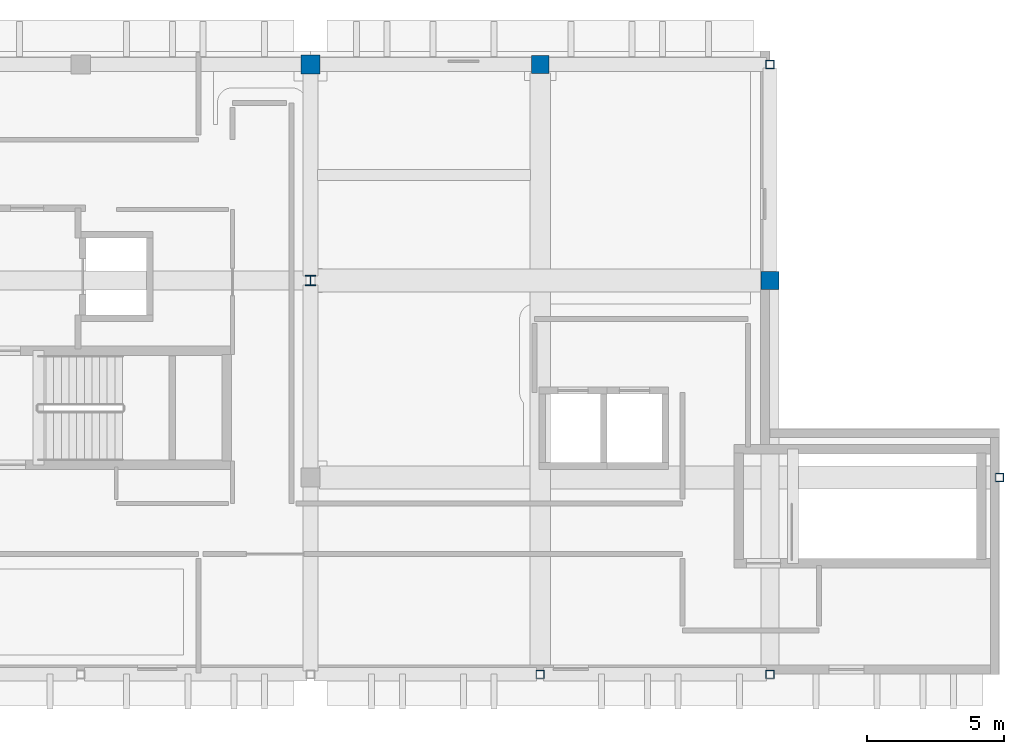
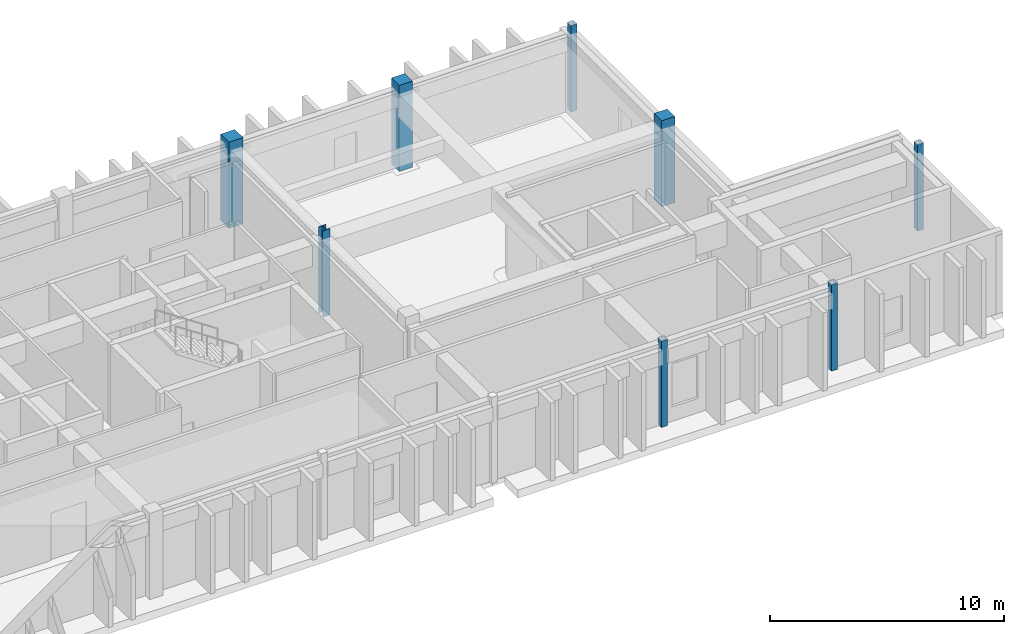
# One storey, part 2 of 8: 8 columns.
"""IFC4 building model written with IfcOpenShell, lengths in metres."""

from ifc_helpers import new_model, si_unit, direction, frame, origin, origin_2d, place, context, subcontext, project, spatial, rectangle, hollow_rectangle, i_section, extrude, material, material_profile, profile_set, type_object, element, save


model = new_model("IFC4")

# Units and contexts
model_context = context("Model", 3, precision=1e-05, world=origin(), true_north=direction((0.0, 1.0)))
body_context = subcontext(model_context, "Body", "Model", "MODEL_VIEW")
ifc_project = project(units=[si_unit("LENGTHUNIT", "METRE"), si_unit("AREAUNIT", "SQUARE_METRE"), si_unit("VOLUMEUNIT", "CUBIC_METRE"), si_unit("PLANEANGLEUNIT", "RADIAN"), si_unit("MASSUNIT", "GRAM", prefix="KILO")], contexts=[model_context])

# Site, building, storey
site_placement = place(None, origin())
site = spatial("IfcSite", under=ifc_project, at=site_placement, CompositionType="ELEMENT")
building_placement = place(site_placement, origin())
building = spatial("IfcBuilding", under=site, at=building_placement, Name="Quendrovan Civic Courthouse", CompositionType="ELEMENT")
storey_placement = place(building_placement, frame((0.0, 0.0, 35.699951171875)))
storey = spatial("IfcBuildingStorey", under=building, at=storey_placement, Name="L08", CompositionType="ELEMENT", Elevation=35.699951171875)

# Columns
ifc_material_1 = material(Name="Concrete C45/55", Category="concrete")
ifc_material_profile_1 = material_profile(ifc_material_1, rectangle(XDim=0.64990234375, YDim=0.64990234375, at=origin_2d()), Name="RC-COL-650x650")
ifc_profile_set_1 = profile_set([ifc_material_profile_1], Name="Concrete C45/55")
column_type_1 = type_object("IfcColumnType", Name="COL-RC650", PredefinedType="COLUMN", material=ifc_profile_set_1)
for number, where, z_axis, x_axis, name in (
    (1, (75.60009765625, 109.89990234375, 0.0), (0.0, 0.0, 1.0), (1.0, 0.0, 0.0), "L08 Column 10-Q"),
    (2, (84.0, 102.0, 0.0), (0.0, 0.0, 1.0), (1.0, 0.0, 0.0), "L08 Column 11-P"),
):
    element("IfcColumn", number, at=place(storey_placement, frame(where, z_axis=z_axis, x_axis=x_axis)), inside=storey, type_object=column_type_1, Name=name, PredefinedType="COLUMN", context=body_context, shape_type="SweptSolid", body=[
        extrude(rectangle(XDim=0.64990234375, YDim=0.64990234375, at=origin_2d()), origin(), (0.0, 0.0, 1.0), 4.5),
    ])
ifc_material_profile_2 = material_profile(ifc_material_1, rectangle(XDim=0.699951171875, YDim=0.699951171875, at=origin_2d()), Name="RC-COL-700x700")
ifc_profile_set_2 = profile_set([ifc_material_profile_2], Name="Concrete C45/55")
column_type_2 = type_object("IfcColumnType", Name="COL-RC700", PredefinedType="COLUMN", material=ifc_profile_set_2)
column_1_placement = place(storey_placement, frame((67.199951171875, 109.89990234375, 0.0), z_axis=(0.0, 0.0, 1.0), x_axis=(1.0, 0.0, 0.0)))
element("IfcColumn", 3, at=column_1_placement, inside=storey, type_object=column_type_2, Name="L08 Column 9-Q", PredefinedType="COLUMN", context=body_context, shape_type="SweptSolid", body=[
    extrude(rectangle(XDim=0.699951171875, YDim=0.699951171875, at=origin_2d()), origin(), (0.0, 0.0, 1.0), 4.5),
])
ifc_material_2 = material(Name="Steel ASTM A500 Grade C", Category="steel")
ifc_material_profile_3 = material_profile(ifc_material_2, hollow_rectangle(XDim=0.300048828125, YDim=0.300048828125, WallThickness=0.011962890625, at=origin_2d()), Name="HSS300x300x12")
ifc_profile_set_3 = profile_set([ifc_material_profile_3], Name="Steel ASTM A500 Grade C")
column_type_3 = type_object("IfcColumnType", Name="COL-STL-HSS300S", PredefinedType="COLUMN", material=ifc_profile_set_3)
for number, where, z_axis, x_axis, name in (
    (4, (75.60009765625, 87.60009765625, 0.0), (0.0, 0.0, 1.0), (1.0, 0.0, 0.0), "L08 Column 10-M"),
    (5, (84.0, 87.60009765625, 0.0), (0.0, 0.0, 1.0), (1.0, 0.0, 0.0), "L08 Column 11-M"),
    (6, (84.0, 109.89990234375, 0.0), (0.0, 0.0, 1.0), (1.0, 0.0, 0.0), "L08 Column 11-Q"),
    (7, (92.39990234375, 94.800048828125, 0.0), (0.0, 0.0, 1.0), (1.0, 0.0, 0.0), "L08 Column 12-N"),
):
    element("IfcColumn", number, at=place(storey_placement, frame(where, z_axis=z_axis, x_axis=x_axis)), inside=storey, type_object=column_type_3, Name=name, PredefinedType="COLUMN", context=body_context, shape_type="SweptSolid", body=[
        extrude(hollow_rectangle(XDim=0.300048828125, YDim=0.300048828125, WallThickness=0.011962890625, at=origin_2d()), origin(), (0.0, 0.0, 1.0), 4.5),
    ])
ifc_material_3 = material(Name="Steel ASTM A992 Grade 50", Category="steel")
ifc_material_profile_4 = material_profile(ifc_material_3, i_section(OverallWidth=0.3740234375, OverallDepth=0.3720703125, WebThickness=0.016357421875, FlangeThickness=0.026123046875, at=origin_2d()), Name="W14X132")
ifc_profile_set_4 = profile_set([ifc_material_profile_4], Name="Steel ASTM A992 Grade 50")
column_type_4 = type_object("IfcColumnType", Name="COL-STL-W14X132", PredefinedType="COLUMN", material=ifc_profile_set_4)
column_2_placement = place(storey_placement, frame((67.199951171875, 102.0, 0.0), z_axis=(0.0, 0.0, 1.0), x_axis=(1.0, 0.0, 0.0)))
element("IfcColumn", 8, at=column_2_placement, inside=storey, type_object=column_type_4, Name="L08 Column 9-P", PredefinedType="COLUMN", context=body_context, shape_type="SweptSolid", body=[
    extrude(i_section(OverallWidth=0.3740234375, OverallDepth=0.3720703125, WebThickness=0.016357421875, FlangeThickness=0.026123046875, at=origin_2d()), origin(), (0.0, 0.0, 1.0), 4.5),
])

save(model, "model.ifc")
